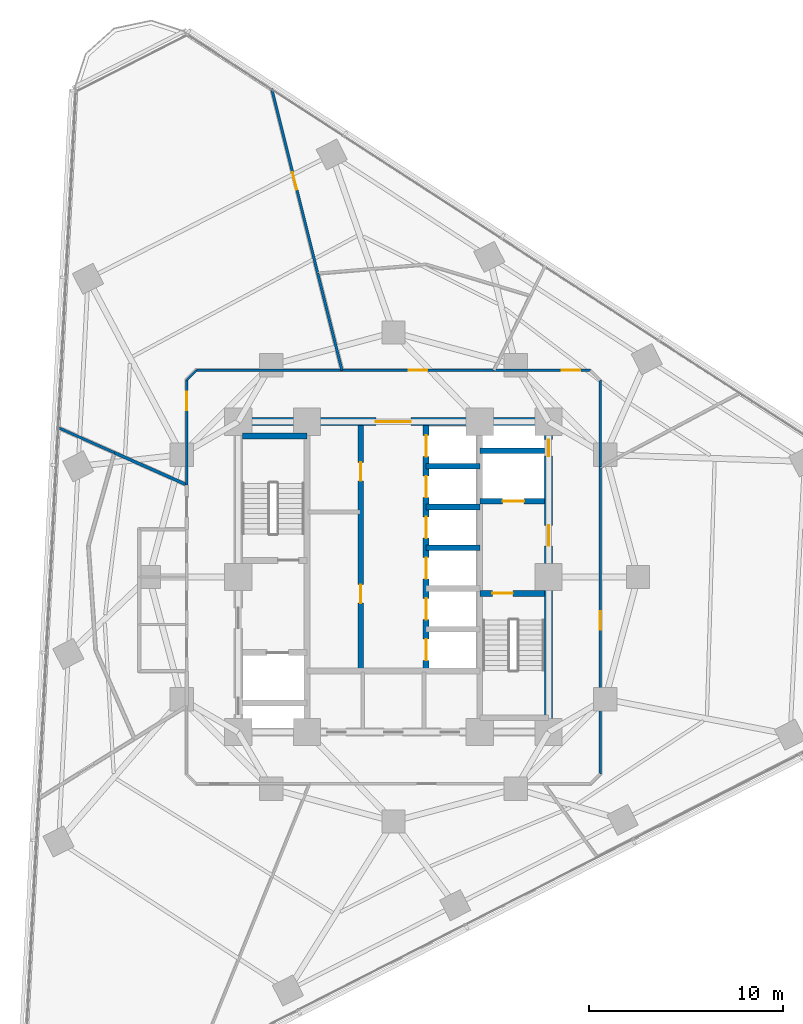
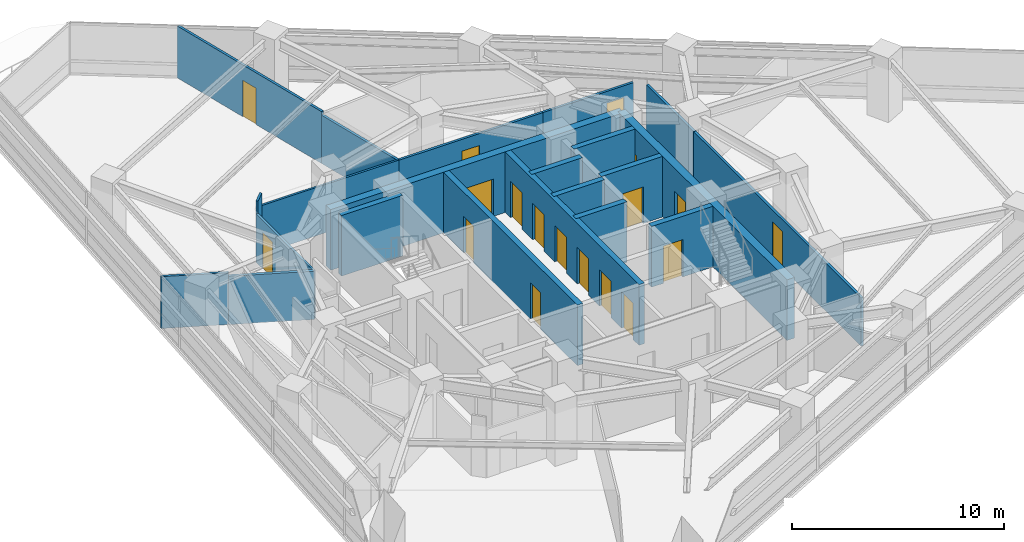
# One storey, part 9 of 14: 22 walls, 18 doors, 18 openings.
"""IFC4 building model written with IfcOpenShell, lengths in metres."""

from ifc_helpers import new_model, si_unit, direction, frame, frame_2d, origin, place, context, subcontext, project, spatial, rectangle, extrude, material, layer, layer_set, type_object, element, fill, save


model = new_model("IFC4")

# Units and contexts
model_context = context("Model", 3, precision=1e-05, world=origin(), true_north=direction((0.0, 1.0)))
body_context = subcontext(model_context, "Body", "Model", "MODEL_VIEW")
ifc_project = project(units=[si_unit("LENGTHUNIT", "METRE"), si_unit("AREAUNIT", "SQUARE_METRE"), si_unit("VOLUMEUNIT", "CUBIC_METRE"), si_unit("PLANEANGLEUNIT", "RADIAN"), si_unit("MASSUNIT", "GRAM", prefix="KILO")], contexts=[model_context])

# Site, building, storey
site_placement = place(None, origin())
site = spatial("IfcSite", under=ifc_project, at=site_placement, CompositionType="ELEMENT")
building_placement = place(site_placement, origin())
building = spatial("IfcBuilding", under=site, at=building_placement, Name="Terralouvre Media Tower", CompositionType="ELEMENT")
storey_placement = place(building_placement, frame((0.0, 0.0, 134.699951171875)))
storey = spatial("IfcBuildingStorey", under=building, at=storey_placement, Name="L34", CompositionType="ELEMENT", Elevation=134.699951171875)

# Wall
ifc_material_1 = material(Name="Concrete C50/60", Category="concrete")
ifc_layer_1 = layer(ifc_material_1, 0.300048828125, Name="Core Internal Shaft Wall CW-300")
ifc_layer_set_1 = layer_set([ifc_layer_1], Name="Concrete C50/60")
wall_type_1 = type_object("IfcWallType", Name="Core Internal Shaft Wall CW-300", PredefinedType="SHEAR", material=ifc_layer_set_1)
wall_1_placement = place(storey_placement, frame((-7.7900390625, 7.260009765625, 0.0), z_axis=(0.0, 0.0, 1.0), x_axis=(1.0, 0.0, 0.0)))
element("IfcWall", 1, at=wall_1_placement, inside=storey, type_object=wall_type_1, Name="L34 Core Shaft Wall ST1F", PredefinedType="SHEAR", context=body_context, shape_type="SweptSolid", body=[
    extrude(rectangle(XDim=3.340087890625, YDim=0.300048828125, at=frame_2d((1.669921875, 0.0))), origin(), (0.0, 0.0, 1.0), 3.5),
])

# Wall, opening, door
wall_2_placement = place(storey_placement, frame((4.449951171875, -0.85009765625, 0.0), z_axis=(0.0, 0.0, 1.0), x_axis=(1.0, 0.0, 0.0)))
wall_2 = element("IfcWall", 2, at=wall_2_placement, inside=storey, type_object=wall_type_1, Name="L34 Core Shaft Wall ST2D", PredefinedType="SHEAR", context=body_context, shape_type="SweptSolid", body=[
    extrude(rectangle(XDim=3.340087890625, YDim=0.300048828125, at=frame_2d((1.669921875, 0.0))), origin(), (0.0, 0.0, 1.0), 3.5),
])
opening_1_placement = place(wall_2_placement, frame((0.64990234375, 0.0, 0.0)))
opening_1 = element("IfcOpeningElement", 3, at=opening_1_placement, cuts=wall_2, Name="Opening FD-01-105X215", PredefinedType="OPENING", context=body_context, shape_type="SweptSolid", body=[
    extrude(rectangle(XDim=1.050048828125, YDim=2.14990234375, at=frame_2d((0.52490234375, 1.074951171875))), frame((0.0, 0.159912109375, 0.0), z_axis=(0.0, -1.0, 0.0), x_axis=(1.0, 0.0, 0.0)), (0.0, 0.0, 1.0), 0.320068359375),
])
ifc_material_2 = material(Name="Galvanised steel fire-resisting leaf", Category="steel")
door_type_1 = type_object("IfcDoorType", Name="Stair and Firefighting Lobby Fire Door FD-01 (1050x2150)", OperationType="NOTDEFINED", PredefinedType="DOOR", material=ifc_material_2)
door_1_placement = place(opening_1_placement, origin())
door_1 = element("IfcDoor", 4, at=door_1_placement, inside=storey, type_object=door_type_1, Name="L34 ST-02 Exit Stair Door", OperationType="SINGLE_SWING_RIGHT", OverallHeight=2.14990234375, OverallWidth=1.050048828125, PredefinedType="DOOR", context=body_context, shape_type="SweptSolid", body=[
    extrude(rectangle(XDim=1.050048828125, YDim=2.14990234375, at=frame_2d((0.52490234375, 1.074951171875))), frame((0.0, 0.02490234375, 0.0), z_axis=(0.0, -1.0, 0.0), x_axis=(1.0, 0.0, 0.0)), (0.0, 0.0, 1.0), 0.050048828125),
])
fill(opening_1, door_1)

wall_3_placement = place(storey_placement, frame((4.449951171875, 3.89990234375, 0.0), z_axis=(0.0, 0.0, 1.0), x_axis=(1.0, 0.0, 0.0)))
wall_3 = element("IfcWall", 5, at=wall_3_placement, inside=storey, type_object=wall_type_1, Name="L34 Core Shaft Wall FF2S", PredefinedType="SHEAR", context=body_context, shape_type="SweptSolid", body=[
    extrude(rectangle(XDim=3.340087890625, YDim=0.300048828125, at=frame_2d((1.669921875, 0.0))), origin(), (0.0, 0.0, 1.0), 3.5),
])
opening_2_placement = place(wall_3_placement, frame((1.179931640625, 0.0, 0.0)))
opening_2 = element("IfcOpeningElement", 6, at=opening_2_placement, cuts=wall_3, Name="Opening LD-FF", PredefinedType="OPENING", context=body_context, shape_type="SweptSolid", body=[
    extrude(rectangle(XDim=1.10009765625, YDim=2.10009765625, at=frame_2d((0.550048828125, 1.050048828125))), frame((0.0, 0.159912109375, 0.0), z_axis=(0.0, -1.0, 0.0), x_axis=(1.0, 0.0, 0.0)), (0.0, 0.0, 1.0), 0.320068359375),
])
ifc_material_3 = material(Name="Stainless steel 316 handrail and balustrade", Category="steel")
door_type_2 = type_object("IfcDoorType", Name="Firefighting Lift Sliding Landing Door LD-FF", OperationType="SLIDING_TO_LEFT", PredefinedType="DOOR", material=ifc_material_3)
door_2_placement = place(opening_2_placement, origin())
door_2 = element("IfcDoor", 7, at=door_2_placement, inside=storey, type_object=door_type_2, Name="L34 Firefighting Lift FFL-02 Landing Door", OperationType="SLIDING_TO_LEFT", OverallHeight=2.10009765625, OverallWidth=1.10009765625, PredefinedType="DOOR", context=body_context, shape_type="SweptSolid", body=[
    extrude(rectangle(XDim=1.10009765625, YDim=2.10009765625, at=frame_2d((0.550048828125, 1.050048828125))), frame((0.0, 0.02490234375, 0.0), z_axis=(0.0, -1.0, 0.0), x_axis=(1.0, 0.0, 0.0)), (0.0, 0.0, 1.0), 0.050048828125),
])
fill(opening_2, door_2)

# Wall
wall_4_placement = place(storey_placement, frame((4.449951171875, 6.5, 0.0), z_axis=(0.0, 0.0, 1.0), x_axis=(1.0, 0.0, 0.0)))
element("IfcWall", 8, at=wall_4_placement, inside=storey, type_object=wall_type_1, Name="L34 Core Shaft Wall FF2N", PredefinedType="SHEAR", context=body_context, shape_type="SweptSolid", body=[
    extrude(rectangle(XDim=3.340087890625, YDim=0.300048828125, at=frame_2d((1.669921875, 0.0))), origin(), (0.0, 0.0, 1.0), 3.5),
])

# Wall, openings, doors
wall_5_placement = place(storey_placement, frame((-1.679931640625, -4.85009765625, 0.0), z_axis=(0.0, 0.0, 1.0), x_axis=(0.0, 1.0, 0.0)))
wall_5 = element("IfcWall", 9, at=wall_5_placement, inside=storey, type_object=wall_type_1, Name="L34 Core Shaft Wall LBW", PredefinedType="SHEAR", context=body_context, shape_type="SweptSolid", body=[
    extrude(rectangle(XDim=12.64013671875, YDim=0.300048828125, at=frame_2d((6.320068359375, 0.0))), origin(), (0.0, 0.0, 1.0), 3.5),
])
opening_3_placement = place(wall_5_placement, frame((3.5, 0.0, 0.0)))
opening_3 = element("IfcOpeningElement", 10, at=opening_3_placement, cuts=wall_5, Name="Opening FD-04-95X210", PredefinedType="OPENING", context=body_context, shape_type="SweptSolid", body=[
    extrude(rectangle(XDim=0.949951171875, YDim=2.10009765625, at=frame_2d((0.47509765625, 1.050048828125))), frame((0.0, 0.159912109375, 0.0), z_axis=(0.0, -1.0, 0.0), x_axis=(1.0, 0.0, 0.0)), (0.0, 0.0, 1.0), 0.320068359375),
])
opening_4_placement = place(wall_5_placement, frame((9.800048828125, 0.0, 0.0)))
opening_4 = element("IfcOpeningElement", 11, at=opening_4_placement, cuts=wall_5, Name="Opening FD-02-95X210", PredefinedType="OPENING", context=body_context, shape_type="SweptSolid", body=[
    extrude(rectangle(XDim=0.949951171875, YDim=2.10009765625, at=frame_2d((0.47509765625, 1.050048828125))), frame((0.0, 0.159912109375, 0.0), z_axis=(0.0, -1.0, 0.0), x_axis=(1.0, 0.0, 0.0)), (0.0, 0.0, 1.0), 0.320068359375),
])
ifc_material_4 = material(Name="Galvanised steel fire-resisting leaf", Category="steel")
door_type_3 = type_object("IfcDoorType", Name="Core Store and Service Fire Door FD-04 (950x2100)", OperationType="NOTDEFINED", PredefinedType="DOOR", material=ifc_material_4)
door_3_placement = place(opening_3_placement, origin())
door_3 = element("IfcDoor", 12, at=door_3_placement, inside=storey, type_object=door_type_3, Name="L34 Core Archive Store Door", OperationType="SINGLE_SWING_LEFT", OverallHeight=2.10009765625, OverallWidth=0.949951171875, PredefinedType="DOOR", context=body_context, shape_type="SweptSolid", body=[
    extrude(rectangle(XDim=0.949951171875, YDim=2.10009765625, at=frame_2d((0.47509765625, 1.050048828125))), frame((0.0, 0.02490234375, 0.0), z_axis=(0.0, -1.0, 0.0), x_axis=(1.0, 0.0, 0.0)), (0.0, 0.0, 1.0), 0.050048828125),
])
fill(opening_3, door_3)
ifc_material_5 = material(Name="Galvanised steel fire-resisting leaf", Category="steel")
door_type_4 = type_object("IfcDoorType", Name="Plant and Riser Fire Door FD-02 (950x2100)", OperationType="NOTDEFINED", PredefinedType="DOOR", material=ifc_material_5)
door_4_placement = place(opening_4_placement, origin())
door_4 = element("IfcDoor", 13, at=door_4_placement, inside=storey, type_object=door_type_4, Name="L34 Core AV Repeater Plant Door", OperationType="SINGLE_SWING_RIGHT", OverallHeight=2.10009765625, OverallWidth=0.949951171875, PredefinedType="DOOR", context=body_context, shape_type="SweptSolid", body=[
    extrude(rectangle(XDim=0.949951171875, YDim=2.10009765625, at=frame_2d((0.47509765625, 1.050048828125))), frame((0.0, 0.02490234375, 0.0), z_axis=(0.0, -1.0, 0.0), x_axis=(1.0, 0.0, 0.0)), (0.0, 0.0, 1.0), 0.050048828125),
])
fill(opening_4, door_4)

wall_6_placement = place(storey_placement, frame((1.679931640625, -4.85009765625, 0.0), z_axis=(0.0, 0.0, 1.0), x_axis=(0.0, 1.0, 0.0)))
wall_6 = element("IfcWall", 14, at=wall_6_placement, inside=storey, type_object=wall_type_1, Name="L34 Core Shaft Wall LBE", PredefinedType="SHEAR", context=body_context, shape_type="SweptSolid", body=[
    extrude(rectangle(XDim=12.64013671875, YDim=0.300048828125, at=frame_2d((6.320068359375, 0.0))), origin(), (0.0, 0.0, 1.0), 3.5),
])
opening_5_placement = place(wall_6_placement, frame((0.550048828125, 0.0, 0.0)))
opening_5 = element("IfcOpeningElement", 15, at=opening_5_placement, cuts=wall_6, Name="Opening LD-PL", PredefinedType="OPENING", context=body_context, shape_type="SweptSolid", body=[
    extrude(rectangle(XDim=1.10009765625, YDim=2.10009765625, at=frame_2d((0.550048828125, 1.050048828125))), frame((0.0, 0.159912109375, 0.0), z_axis=(0.0, -1.0, 0.0), x_axis=(1.0, 0.0, 0.0)), (0.0, 0.0, 1.0), 0.320068359375),
])
opening_6_placement = place(wall_6_placement, frame((2.64990234375, 0.0, 0.0)))
opening_6 = element("IfcOpeningElement", 16, at=opening_6_placement, cuts=wall_6, Name="Opening LD-PL", PredefinedType="OPENING", context=body_context, shape_type="SweptSolid", body=[
    extrude(rectangle(XDim=1.10009765625, YDim=2.10009765625, at=frame_2d((0.550048828125, 1.050048828125))), frame((0.0, 0.159912109375, 0.0), z_axis=(0.0, -1.0, 0.0), x_axis=(1.0, 0.0, 0.0)), (0.0, 0.0, 1.0), 0.320068359375),
])
opening_7_placement = place(wall_6_placement, frame((4.75, 0.0, 0.0)))
opening_7 = element("IfcOpeningElement", 17, at=opening_7_placement, cuts=wall_6, Name="Opening LD-PL", PredefinedType="OPENING", context=body_context, shape_type="SweptSolid", body=[
    extrude(rectangle(XDim=1.10009765625, YDim=2.10009765625, at=frame_2d((0.550048828125, 1.050048828125))), frame((0.0, 0.159912109375, 0.0), z_axis=(0.0, -1.0, 0.0), x_axis=(1.0, 0.0, 0.0)), (0.0, 0.0, 1.0), 0.320068359375),
])
opening_8_placement = place(wall_6_placement, frame((6.85009765625, 0.0, 0.0)))
opening_8 = element("IfcOpeningElement", 18, at=opening_8_placement, cuts=wall_6, Name="Opening LD-PL", PredefinedType="OPENING", context=body_context, shape_type="SweptSolid", body=[
    extrude(rectangle(XDim=1.10009765625, YDim=2.10009765625, at=frame_2d((0.550048828125, 1.050048828125))), frame((0.0, 0.159912109375, 0.0), z_axis=(0.0, -1.0, 0.0), x_axis=(1.0, 0.0, 0.0)), (0.0, 0.0, 1.0), 0.320068359375),
])
opening_9_placement = place(wall_6_placement, frame((8.949951171875, 0.0, 0.0)))
opening_9 = element("IfcOpeningElement", 19, at=opening_9_placement, cuts=wall_6, Name="Opening LD-PL", PredefinedType="OPENING", context=body_context, shape_type="SweptSolid", body=[
    extrude(rectangle(XDim=1.10009765625, YDim=2.10009765625, at=frame_2d((0.550048828125, 1.050048828125))), frame((0.0, 0.159912109375, 0.0), z_axis=(0.0, -1.0, 0.0), x_axis=(1.0, 0.0, 0.0)), (0.0, 0.0, 1.0), 0.320068359375),
])
opening_10_placement = place(wall_6_placement, frame((11.050048828125, 0.0, 0.0)))
opening_10 = element("IfcOpeningElement", 20, at=opening_10_placement, cuts=wall_6, Name="Opening LD-PL", PredefinedType="OPENING", context=body_context, shape_type="SweptSolid", body=[
    extrude(rectangle(XDim=1.10009765625, YDim=2.10009765625, at=frame_2d((0.550048828125, 1.050048828125))), frame((0.0, 0.159912109375, 0.0), z_axis=(0.0, -1.0, 0.0), x_axis=(1.0, 0.0, 0.0)), (0.0, 0.0, 1.0), 0.320068359375),
])
ifc_material_6 = material(Name="Stainless steel 316 handrail and balustrade", Category="steel")
door_type_5 = type_object("IfcDoorType", Name="Passenger Lift Sliding Landing Door LD-PL", OperationType="SLIDING_TO_LEFT", PredefinedType="DOOR", material=ifc_material_6)
door_5_placement = place(opening_5_placement, origin())
door_5 = element("IfcDoor", 21, at=door_5_placement, inside=storey, type_object=door_type_5, Name="L34 High-Rise Lift PL-H1 Landing Door", OperationType="SLIDING_TO_LEFT", OverallHeight=2.10009765625, OverallWidth=1.10009765625, PredefinedType="DOOR", context=body_context, shape_type="SweptSolid", body=[
    extrude(rectangle(XDim=1.10009765625, YDim=2.10009765625, at=frame_2d((0.550048828125, 1.050048828125))), frame((0.0, 0.02490234375, 0.0), z_axis=(0.0, -1.0, 0.0), x_axis=(1.0, 0.0, 0.0)), (0.0, 0.0, 1.0), 0.050048828125),
])
fill(opening_5, door_5)
door_6_placement = place(opening_6_placement, origin())
door_6 = element("IfcDoor", 22, at=door_6_placement, inside=storey, type_object=door_type_5, Name="L34 High-Rise Lift PL-H2 Landing Door", OperationType="SLIDING_TO_LEFT", OverallHeight=2.10009765625, OverallWidth=1.10009765625, PredefinedType="DOOR", context=body_context, shape_type="SweptSolid", body=[
    extrude(rectangle(XDim=1.10009765625, YDim=2.10009765625, at=frame_2d((0.550048828125, 1.050048828125))), frame((0.0, 0.02490234375, 0.0), z_axis=(0.0, -1.0, 0.0), x_axis=(1.0, 0.0, 0.0)), (0.0, 0.0, 1.0), 0.050048828125),
])
fill(opening_6, door_6)
door_7_placement = place(opening_7_placement, origin())
door_7 = element("IfcDoor", 23, at=door_7_placement, inside=storey, type_object=door_type_5, Name="L34 High-Rise Lift PL-H3 Landing Door", OperationType="SLIDING_TO_LEFT", OverallHeight=2.10009765625, OverallWidth=1.10009765625, PredefinedType="DOOR", context=body_context, shape_type="SweptSolid", body=[
    extrude(rectangle(XDim=1.10009765625, YDim=2.10009765625, at=frame_2d((0.550048828125, 1.050048828125))), frame((0.0, 0.02490234375, 0.0), z_axis=(0.0, -1.0, 0.0), x_axis=(1.0, 0.0, 0.0)), (0.0, 0.0, 1.0), 0.050048828125),
])
fill(opening_7, door_7)
door_8_placement = place(opening_8_placement, origin())
door_8 = element("IfcDoor", 24, at=door_8_placement, inside=storey, type_object=door_type_5, Name="L34 Mid-Rise Lift PL-M1 Landing Door", OperationType="SLIDING_TO_LEFT", OverallHeight=2.10009765625, OverallWidth=1.10009765625, PredefinedType="DOOR", context=body_context, shape_type="SweptSolid", body=[
    extrude(rectangle(XDim=1.10009765625, YDim=2.10009765625, at=frame_2d((0.550048828125, 1.050048828125))), frame((0.0, 0.02490234375, 0.0), z_axis=(0.0, -1.0, 0.0), x_axis=(1.0, 0.0, 0.0)), (0.0, 0.0, 1.0), 0.050048828125),
])
fill(opening_8, door_8)
door_9_placement = place(opening_9_placement, origin())
door_9 = element("IfcDoor", 25, at=door_9_placement, inside=storey, type_object=door_type_5, Name="L34 Mid-Rise Lift PL-M2 Landing Door", OperationType="SLIDING_TO_LEFT", OverallHeight=2.10009765625, OverallWidth=1.10009765625, PredefinedType="DOOR", context=body_context, shape_type="SweptSolid", body=[
    extrude(rectangle(XDim=1.10009765625, YDim=2.10009765625, at=frame_2d((0.550048828125, 1.050048828125))), frame((0.0, 0.02490234375, 0.0), z_axis=(0.0, -1.0, 0.0), x_axis=(1.0, 0.0, 0.0)), (0.0, 0.0, 1.0), 0.050048828125),
])
fill(opening_9, door_9)
door_10_placement = place(opening_10_placement, origin())
door_10 = element("IfcDoor", 26, at=door_10_placement, inside=storey, type_object=door_type_5, Name="L34 Mid-Rise Lift PL-M3 Landing Door", OperationType="SLIDING_TO_LEFT", OverallHeight=2.10009765625, OverallWidth=1.10009765625, PredefinedType="DOOR", context=body_context, shape_type="SweptSolid", body=[
    extrude(rectangle(XDim=1.10009765625, YDim=2.10009765625, at=frame_2d((0.550048828125, 1.050048828125))), frame((0.0, 0.02490234375, 0.0), z_axis=(0.0, -1.0, 0.0), x_axis=(1.0, 0.0, 0.0)), (0.0, 0.0, 1.0), 0.050048828125),
])
fill(opening_10, door_10)

# Walls
for number, where, z_axis, x_axis, name in (
    (27, (1.679931640625, 1.5, 0.0), (0.0, 0.0, 1.0), (1.0, 0.0, 0.0), "L34 Core Shaft Wall PLMD0"),
    (28, (1.679931640625, 3.60009765625, 0.0), (0.0, 0.0, 1.0), (1.0, 0.0, 0.0), "L34 Core Shaft Wall PLMD1"),
    (29, (1.679931640625, 5.699951171875, 0.0), (0.0, 0.0, 1.0), (1.0, 0.0, 0.0), "L34 Core Shaft Wall PLMD2"),
):
    element("IfcWall", number, at=place(storey_placement, frame(where, z_axis=z_axis, x_axis=x_axis)), inside=storey, type_object=wall_type_1, Name=name, PredefinedType="SHEAR", context=body_context, shape_type="SweptSolid", body=[
        extrude(rectangle(XDim=2.77001953125, YDim=0.300048828125, at=frame_2d((1.385009765625, 0.0))), origin(), (0.0, 0.0, 1.0), 3.5),
    ])

# Wall, openings, doors
ifc_material_7 = material(Name="Concrete C60/75", Category="concrete")
ifc_layer_2 = layer(ifc_material_7, 0.419921875, Name="Core Reinforced Concrete Shear Wall CW-420")
ifc_layer_set_2 = layer_set([ifc_layer_2], Name="Concrete C60/75")
wall_type_2 = type_object("IfcWallType", Name="Core Reinforced Concrete Shear Wall CW-420", PredefinedType="SHEAR", material=ifc_layer_set_2)
wall_7_placement = place(storey_placement, frame((8.0, -8.0, 0.0), z_axis=(0.0, 0.0, 1.0), x_axis=(0.0, 1.0, 0.0)))
wall_7 = element("IfcWall", 30, at=wall_7_placement, inside=storey, type_object=wall_type_2, Name="L34 E Core Shear Wall", PredefinedType="SHEAR", context=body_context, shape_type="SweptSolid", body=[
    extrude(rectangle(XDim=16.0, YDim=0.419921875, at=frame_2d((8.0, 0.0))), origin(), (0.0, 0.0, 1.0), 3.5),
])
opening_11_placement = place(wall_7_placement, frame((9.60009765625, 0.0, 0.0)))
opening_11 = element("IfcOpeningElement", 31, at=opening_11_placement, cuts=wall_7, Name="Opening FD-01-105X215", PredefinedType="OPENING", context=body_context, shape_type="SweptSolid", body=[
    extrude(rectangle(XDim=1.050048828125, YDim=2.14990234375, at=frame_2d((0.52490234375, 1.074951171875))), frame((0.0, 0.219970703125, 0.0), z_axis=(0.0, -1.0, 0.0), x_axis=(1.0, 0.0, 0.0)), (0.0, 0.0, 1.0), 0.43994140625),
])
opening_12_placement = place(wall_7_placement, frame((14.228515625, 0.0, 0.0)))
opening_12 = element("IfcOpeningElement", 32, at=opening_12_placement, cuts=wall_7, Name="Opening TD-R1", PredefinedType="OPENING", context=body_context, shape_type="SweptSolid", body=[
    extrude(rectangle(XDim=0.85009765625, YDim=2.02001953125, at=frame_2d((0.425048828125, 1.010009765625))), frame((0.0, 0.219970703125, 0.0), z_axis=(0.0, -1.0, 0.0), x_axis=(1.0, 0.0, 0.0)), (0.0, 0.0, 1.0), 0.43994140625),
])
ifc_material_8 = material(Name="Galvanised steel fire-resisting leaf", Category="steel")
door_type_6 = type_object("IfcDoorType", Name="Riser Inspection Access Trapdoor TD-R1", OperationType="NOTDEFINED", PredefinedType="TRAPDOOR", material=ifc_material_8)
door_11_placement = place(opening_12_placement, origin())
door_11 = element("IfcDoor", 33, at=door_11_placement, inside=storey, type_object=door_type_6, Name="L34 East Comms Riser Access Trapdoor", OperationType="SINGLE_SWING_RIGHT", OverallHeight=2.02001953125, OverallWidth=0.85009765625, PredefinedType="TRAPDOOR", context=body_context, shape_type="SweptSolid", body=[
    extrude(rectangle(XDim=0.85009765625, YDim=2.02001953125, at=frame_2d((0.425048828125, 1.010009765625))), frame((0.0, 0.02490234375, 0.0), z_axis=(0.0, -1.0, 0.0), x_axis=(1.0, 0.0, 0.0)), (0.0, 0.0, 1.0), 0.050048828125),
])
fill(opening_12, door_11)
door_12_placement = place(opening_11_placement, origin())
door_12 = element("IfcDoor", 34, at=door_12_placement, inside=storey, type_object=door_type_1, Name="L34 East Firefighting Lobby Entry Door", OperationType="SINGLE_SWING_LEFT", OverallHeight=2.14990234375, OverallWidth=1.050048828125, PredefinedType="DOOR", context=body_context, shape_type="SweptSolid", body=[
    extrude(rectangle(XDim=1.050048828125, YDim=2.14990234375, at=frame_2d((0.52490234375, 1.074951171875))), frame((0.0, 0.02490234375, 0.0), z_axis=(0.0, -1.0, 0.0), x_axis=(1.0, 0.0, 0.0)), (0.0, 0.0, 1.0), 0.050048828125),
])
fill(opening_11, door_12)

# Wall, opening, door
wall_8_placement = place(storey_placement, frame((-8.0, 8.0, 0.0), z_axis=(0.0, 0.0, 1.0), x_axis=(1.0, 0.0, 0.0)))
wall_8 = element("IfcWall", 35, at=wall_8_placement, inside=storey, type_object=wall_type_2, Name="L34 N Core Shear Wall", PredefinedType="SHEAR", context=body_context, shape_type="SweptSolid", body=[
    extrude(rectangle(XDim=16.0, YDim=0.419921875, at=frame_2d((8.0, 0.0))), origin(), (0.0, 0.0, 1.0), 3.5),
])
opening_13_placement = place(wall_8_placement, frame((7.10009765625, 0.0, 0.0)))
opening_13 = element("IfcOpeningElement", 36, at=opening_13_placement, cuts=wall_8, Name="Opening FD-03", PredefinedType="OPENING", context=body_context, shape_type="SweptSolid", body=[
    extrude(rectangle(XDim=1.800048828125, YDim=2.14990234375, at=frame_2d((0.89990234375, 1.074951171875))), frame((0.0, 0.219970703125, 0.0), z_axis=(0.0, -1.0, 0.0), x_axis=(1.0, 0.0, 0.0)), (0.0, 0.0, 1.0), 0.43994140625),
])
ifc_material_9 = material(Name="Galvanised steel fire-resisting leaf", Category="steel")
door_type_7 = type_object("IfcDoorType", Name="Corridor Smoke-Control Double Door FD-03", OperationType="DOUBLE_DOOR_SINGLE_SWING", PredefinedType="DOOR", material=ifc_material_9)
door_13_placement = place(opening_13_placement, origin())
door_13 = element("IfcDoor", 37, at=door_13_placement, inside=storey, type_object=door_type_7, Name="L34 Central Lift Lobby Portal Door", OperationType="DOUBLE_DOOR_SINGLE_SWING", OverallHeight=2.14990234375, OverallWidth=1.800048828125, PredefinedType="DOOR", context=body_context, shape_type="SweptSolid", body=[
    extrude(rectangle(XDim=1.800048828125, YDim=2.14990234375, at=frame_2d((0.89990234375, 1.074951171875))), frame((0.0, 0.02490234375, 0.0), z_axis=(0.0, -1.0, 0.0), x_axis=(1.0, 0.0, 0.0)), (0.0, 0.0, 1.0), 0.050048828125),
])
fill(opening_13, door_13)

ifc_material_10 = material(Name="Fire-rated gypsum board drywall partition")
ifc_layer_3 = layer(ifc_material_10, 0.135009765625, Name="Newsroom Acoustic Partition PT-135")
ifc_layer_set_3 = layer_set([ifc_layer_3], Name="Fire-rated gypsum board drywall partition")
wall_type_3 = type_object("IfcWallType", Name="Newsroom Acoustic Partition PT-135", PredefinedType="PARTITIONING", material=ifc_layer_set_3)
wall_9_placement = place(storey_placement, frame((10.64990234375, -10.14990234375, 0.0), z_axis=(0.0, 0.0, 1.0), x_axis=(0.0, 1.0, 0.0)))
wall_9 = element("IfcWall", 38, at=wall_9_placement, inside=storey, type_object=wall_type_3, Name="L34 Interior Partition 011", PredefinedType="PARTITIONING", context=body_context, shape_type="SweptSolid", body=[
    extrude(rectangle(XDim=15.81298828125, YDim=0.135009765625, at=frame_2d((7.906494140625, 0.0))), origin(), (0.0, 0.0, 1.0), 2.78515625),
])
opening_14_placement = place(wall_9_placement, frame((7.431396484375, 0.0, 0.0)))
opening_14 = element("IfcOpeningElement", 39, at=opening_14_placement, cuts=wall_9, Name="Opening ID-02-95X210", PredefinedType="OPENING", context=body_context, shape_type="SweptSolid", body=[
    extrude(rectangle(XDim=0.949951171875, YDim=2.10009765625, at=frame_2d((0.47509765625, 1.050048828125))), frame((0.0, 0.077392578125, 0.0), z_axis=(0.0, -1.0, 0.0), x_axis=(1.0, 0.0, 0.0)), (0.0, 0.0, 1.0), 0.155029296875),
])
ifc_material_11 = material(Name="Engineered hardwood acoustic timber leaf", Category="wood")
door_type_8 = type_object("IfcDoorType", Name="Office and Meeting Room Door ID-02 (950x2100)", OperationType="NOTDEFINED", PredefinedType="DOOR", material=ifc_material_11)
door_14_placement = place(opening_14_placement, origin())
door_14 = element("IfcDoor", 40, at=door_14_placement, inside=storey, type_object=door_type_8, Name="L34 Book Review Reading Study 5 Door", OperationType="SINGLE_SWING_LEFT", OverallHeight=2.10009765625, OverallWidth=0.949951171875, PredefinedType="DOOR", context=body_context, shape_type="SweptSolid", body=[
    extrude(rectangle(XDim=0.949951171875, YDim=2.10009765625, at=frame_2d((0.47509765625, 1.050048828125))), frame((0.0, 0.02490234375, 0.0), z_axis=(0.0, -1.0, 0.0), x_axis=(1.0, 0.0, 0.0)), (0.0, 0.0, 1.0), 0.050048828125),
])
fill(opening_14, door_14)

# Wall
wall_10_placement = place(storey_placement, frame((10.64990234375, 5.6630859375, 0.0), z_axis=(0.0, 0.0, 1.0), x_axis=(0.0, 1.0, 0.0)))
element("IfcWall", 41, at=wall_10_placement, inside=storey, type_object=wall_type_3, Name="L34 Interior Partition 012", PredefinedType="PARTITIONING", context=body_context, shape_type="SweptSolid", body=[
    extrude(rectangle(XDim=4.48681640625, YDim=0.135009765625, at=frame_2d((2.243408203125, 0.0))), origin(), (0.0, 0.0, 1.0), 2.78515625),
])

# Wall, opening, door
wall_11_placement = place(storey_placement, frame((10.14990234375, 10.64990234375, 0.0), z_axis=(0.0, 0.0, 1.0), x_axis=(-1.0, 0.0, 0.0)))
wall_11 = element("IfcWall", 42, at=wall_11_placement, inside=storey, type_object=wall_type_3, Name="L34 Interior Partition 014", PredefinedType="PARTITIONING", context=body_context, shape_type="SweptSolid", body=[
    extrude(rectangle(XDim=4.955810546875, YDim=0.135009765625, at=frame_2d((2.47802734375, 0.0))), origin(), (0.0, 0.0, 1.0), 2.78515625),
])
opening_15_placement = place(wall_11_placement, frame((0.51611328125, 0.0, 0.0)))
opening_15 = element("IfcOpeningElement", 43, at=opening_15_placement, cuts=wall_11, Name="Opening ID-02-95X210", PredefinedType="OPENING", context=body_context, shape_type="SweptSolid", body=[
    extrude(rectangle(XDim=0.949951171875, YDim=2.10009765625, at=frame_2d((0.47509765625, 1.050048828125))), frame((0.0, 0.077392578125, 0.0), z_axis=(0.0, -1.0, 0.0), x_axis=(1.0, 0.0, 0.0)), (0.0, 0.0, 1.0), 0.155029296875),
])
door_15_placement = place(opening_15_placement, origin())
door_15 = element("IfcDoor", 44, at=door_15_placement, inside=storey, type_object=door_type_8, Name="L34 Literary Salon Lounge 6 Door", OperationType="SINGLE_SWING_RIGHT", OverallHeight=2.10009765625, OverallWidth=0.949951171875, PredefinedType="DOOR", context=body_context, shape_type="SweptSolid", body=[
    extrude(rectangle(XDim=0.949951171875, YDim=2.10009765625, at=frame_2d((0.47509765625, 1.050048828125))), frame((0.0, 0.02490234375, 0.0), z_axis=(0.0, -1.0, 0.0), x_axis=(1.0, 0.0, 0.0)), (0.0, 0.0, 1.0), 0.050048828125),
])
fill(opening_15, door_15)

wall_12_placement = place(storey_placement, frame((5.194091796875, 10.64990234375, 0.0), z_axis=(0.0, 0.0, 1.0), x_axis=(-1.0, 0.0, 0.0)))
wall_12 = element("IfcWall", 45, at=wall_12_placement, inside=storey, type_object=wall_type_3, Name="L34 Interior Partition 015", PredefinedType="PARTITIONING", context=body_context, shape_type="SweptSolid", body=[
    extrude(rectangle(XDim=7.84912109375, YDim=0.135009765625, at=frame_2d((3.924560546875, 0.0))), origin(), (0.0, 0.0, 1.0), 2.78515625),
])
opening_16_placement = place(wall_12_placement, frame((3.449462890625, 0.0, 0.0)))
opening_16 = element("IfcOpeningElement", 46, at=opening_16_placement, cuts=wall_12, Name="Opening ID-02-95X210", PredefinedType="OPENING", context=body_context, shape_type="SweptSolid", body=[
    extrude(rectangle(XDim=0.949951171875, YDim=2.10009765625, at=frame_2d((0.47509765625, 1.050048828125))), frame((0.0, 0.077392578125, 0.0), z_axis=(0.0, -1.0, 0.0), x_axis=(1.0, 0.0, 0.0)), (0.0, 0.0, 1.0), 0.155029296875),
])
door_16_placement = place(opening_16_placement, origin())
door_16 = element("IfcDoor", 47, at=door_16_placement, inside=storey, type_object=door_type_8, Name="L34 Chamber Rehearsal Creative Workshop 7 Door", OperationType="SINGLE_SWING_LEFT", OverallHeight=2.10009765625, OverallWidth=0.949951171875, PredefinedType="DOOR", context=body_context, shape_type="SweptSolid", body=[
    extrude(rectangle(XDim=0.949951171875, YDim=2.10009765625, at=frame_2d((0.47509765625, 1.050048828125))), frame((0.0, 0.02490234375, 0.0), z_axis=(0.0, -1.0, 0.0), x_axis=(1.0, 0.0, 0.0)), (0.0, 0.0, 1.0), 0.050048828125),
])
fill(opening_16, door_16)

# Walls
wall_13_placement = place(storey_placement, frame((-14.3740234375, 6.39990234375, 0.0), z_axis=(0.0, 0.0, 1.0), x_axis=(-0.913611090133, 0.406589198068, 0.0)))
element("IfcWall", 48, at=wall_13_placement, inside=storey, type_object=wall_type_3, Name="L34 Interior Partition 033", PredefinedType="PARTITIONING", context=body_context, shape_type="SweptSolid", body=[
    extrude(rectangle(XDim=3.216064453125, YDim=0.135009765625, at=frame_2d((1.60791015625, 0.0))), origin(), (0.0, 0.0, 1.0), 2.985107421875),
])
wall_14_placement = place(storey_placement, frame((-3.90087890625, 15.64599609375, 0.0), z_axis=(0.0, 0.0, 1.0), x_axis=(0.241955453095, -0.970287358836, 0.0)))
element("IfcWall", 49, at=wall_14_placement, inside=storey, type_object=wall_type_3, Name="L34 Interior Partition 041", PredefinedType="PARTITIONING", context=body_context, shape_type="SweptSolid", body=[
    extrude(rectangle(XDim=5.149169921875, YDim=0.135009765625, at=frame_2d((2.57470703125, 0.0))), origin(), (0.0, 0.0, 1.0), 2.78515625),
])

# Wall, opening, door
wall_15_placement = place(storey_placement, frame((-6.276123046875, 25.1708984375, 0.0), z_axis=(0.0, 0.0, 1.0), x_axis=(0.241962105276, -0.970285699993, 0.0)))
wall_15 = element("IfcWall", 50, at=wall_15_placement, inside=storey, type_object=wall_type_3, Name="L34 Interior Partition 042", PredefinedType="PARTITIONING", context=body_context, shape_type="SweptSolid", body=[
    extrude(rectangle(XDim=9.816650390625, YDim=0.135009765625, at=frame_2d((4.908203125, 0.0))), origin(), (0.0, 0.0, 1.0), 2.985107421875),
])
opening_17_placement = place(wall_15_placement, frame((4.4482421875, 0.0, 0.0)))
opening_17 = element("IfcOpeningElement", 51, at=opening_17_placement, cuts=wall_15, Name="Opening ID-03-92X210", PredefinedType="OPENING", context=body_context, shape_type="SweptSolid", body=[
    extrude(rectangle(XDim=0.919921875, YDim=2.10009765625, at=frame_2d((0.4599609375, 1.050048828125))), frame((0.0, 0.077392578125, 0.0), z_axis=(0.0, -1.0, 0.0), x_axis=(1.0, 0.0, 0.0)), (0.0, 0.0, 1.0), 0.155029296875),
])
ifc_material_12 = material(Name="Engineered hardwood acoustic timber leaf", Category="wood")
door_type_9 = type_object("IfcDoorType", Name="Accessible Restroom and Suite Door ID-03 (920x2100)", OperationType="NOTDEFINED", PredefinedType="DOOR", material=ifc_material_12)
door_17_placement = place(opening_17_placement, origin())
door_17 = element("IfcDoor", 52, at=door_17_placement, inside=storey, type_object=door_type_9, Name="L34 Publishing Production Workspace 8 Door", OperationType="SINGLE_SWING_LEFT", OverallHeight=2.10009765625, OverallWidth=0.919921875, PredefinedType="DOOR", context=body_context, shape_type="SweptSolid", body=[
    extrude(rectangle(XDim=0.919921875, YDim=2.10009765625, at=frame_2d((0.4599609375, 1.050048828125))), frame((0.0, 0.02490234375, 0.0), z_axis=(0.0, -1.0, 0.0), x_axis=(1.0, 0.0, 0.0)), (0.0, 0.0, 1.0), 0.050048828125),
])
fill(opening_17, door_17)

# Walls
ifc_material_13 = material(Name="Fire-rated gypsum board drywall partition")
ifc_layer_4 = layer(ifc_material_13, 0.114990234375, Name="Restroom and Pantry Partition PT-115")
ifc_layer_set_4 = layer_set([ifc_layer_4], Name="Fire-rated gypsum board drywall partition")
wall_type_4 = type_object("IfcWallType", Name="Restroom and Pantry Partition PT-115", PredefinedType="PARTITIONING", material=ifc_layer_set_4)
wall_16_placement = place(storey_placement, frame((-2.655029296875, 10.64990234375, 0.0), z_axis=(0.0, 0.0, 1.0), x_axis=(-1.0, 0.0, 0.0)))
element("IfcWall", 53, at=wall_16_placement, inside=storey, type_object=wall_type_4, Name="L34 Interior Partition 016", PredefinedType="PARTITIONING", context=body_context, shape_type="SweptSolid", body=[
    extrude(rectangle(XDim=7.494873046875, YDim=0.114990234375, at=frame_2d((3.74755859375, 0.0))), origin(), (0.0, 0.0, 1.0), 2.78515625),
])
wall_17_placement = place(storey_placement, frame((-10.14990234375, 10.64990234375, 0.0), z_axis=(0.0, 0.0, 1.0), x_axis=(-0.707106781187, -0.707106781187, 0.0)))
element("IfcWall", 54, at=wall_17_placement, inside=storey, type_object=wall_type_4, Name="L34 Interior Partition 017", PredefinedType="PARTITIONING", context=body_context, shape_type="SweptSolid", body=[
    extrude(rectangle(XDim=0.70703125, YDim=0.114990234375, at=frame_2d((0.353515625, 0.0))), origin(), (0.0, 0.0, 1.0), 3.5),
])

# Wall, opening, door
wall_18_placement = place(storey_placement, frame((-10.64990234375, 10.14990234375, 0.0), z_axis=(0.0, 0.0, 1.0), x_axis=(0.0, -1.0, 0.0)))
wall_18 = element("IfcWall", 55, at=wall_18_placement, inside=storey, type_object=wall_type_4, Name="L34 Interior Partition 018", PredefinedType="PARTITIONING", context=body_context, shape_type="SweptSolid", body=[
    extrude(rectangle(XDim=5.407958984375, YDim=0.114990234375, at=frame_2d((2.7041015625, 0.0))), origin(), (0.0, 0.0, 1.0), 2.78515625),
])
opening_18_placement = place(wall_18_placement, frame((0.606689453125, 0.0, 0.0)))
opening_18 = element("IfcOpeningElement", 56, at=opening_18_placement, cuts=wall_18, Name="Opening SD-01-95X210", PredefinedType="OPENING", context=body_context, shape_type="SweptSolid", body=[
    extrude(rectangle(XDim=0.949951171875, YDim=2.10009765625, at=frame_2d((0.47509765625, 1.050048828125))), frame((0.0, 0.0673828125, 0.0), z_axis=(0.0, -1.0, 0.0), x_axis=(1.0, 0.0, 0.0)), (0.0, 0.0, 1.0), 0.135009765625),
])
ifc_material_14 = material(Name="Anodised extruded aluminium 6063-T6", Category="aluminium")
door_type_10 = type_object("IfcDoorType", Name="Pantry Pocket Sliding Door SD-01 (950x2100)", OperationType="SLIDING_TO_LEFT", PredefinedType="DOOR", material=ifc_material_14)
door_18_placement = place(opening_18_placement, origin())
door_18 = element("IfcDoor", 57, at=door_18_placement, inside=storey, type_object=door_type_10, Name="L34 Salon Tea and Pastry Kitchen 9 Door", OperationType="SLIDING_TO_LEFT", OverallHeight=2.10009765625, OverallWidth=0.949951171875, PredefinedType="DOOR", context=body_context, shape_type="SweptSolid", body=[
    extrude(rectangle(XDim=0.949951171875, YDim=2.10009765625, at=frame_2d((0.47509765625, 1.050048828125))), frame((0.0, 0.02490234375, 0.0), z_axis=(0.0, -1.0, 0.0), x_axis=(1.0, 0.0, 0.0)), (0.0, 0.0, 1.0), 0.050048828125),
])
fill(opening_18, door_18)

# Wall
ifc_material_15 = material(Name="Fire-rated gypsum board drywall partition")
ifc_layer_5 = layer(ifc_material_15, 0.159912109375, Name="Studio Acoustic Rated Partition PT-160")
ifc_layer_set_5 = layer_set([ifc_layer_5], Name="Fire-rated gypsum board drywall partition")
wall_type_5 = type_object("IfcWallType", Name="Studio Acoustic Rated Partition PT-160", PredefinedType="PARTITIONING", material=ifc_layer_set_5)
wall_19_placement = place(storey_placement, frame((-10.64990234375, 4.741943359375, 0.0), z_axis=(0.0, 0.0, 1.0), x_axis=(-0.913556992648, 0.406710734042, 0.0)))
element("IfcWall", 58, at=wall_19_placement, inside=storey, type_object=wall_type_5, Name="L34 Interior Partition 027", PredefinedType="PARTITIONING", context=body_context, shape_type="SweptSolid", body=[
    extrude(rectangle(XDim=4.076416015625, YDim=0.159912109375, at=frame_2d((2.0380859375, 0.0))), origin(), (0.0, 0.0, 1.0), 2.78515625),
])

save(model, "model.ifc")
